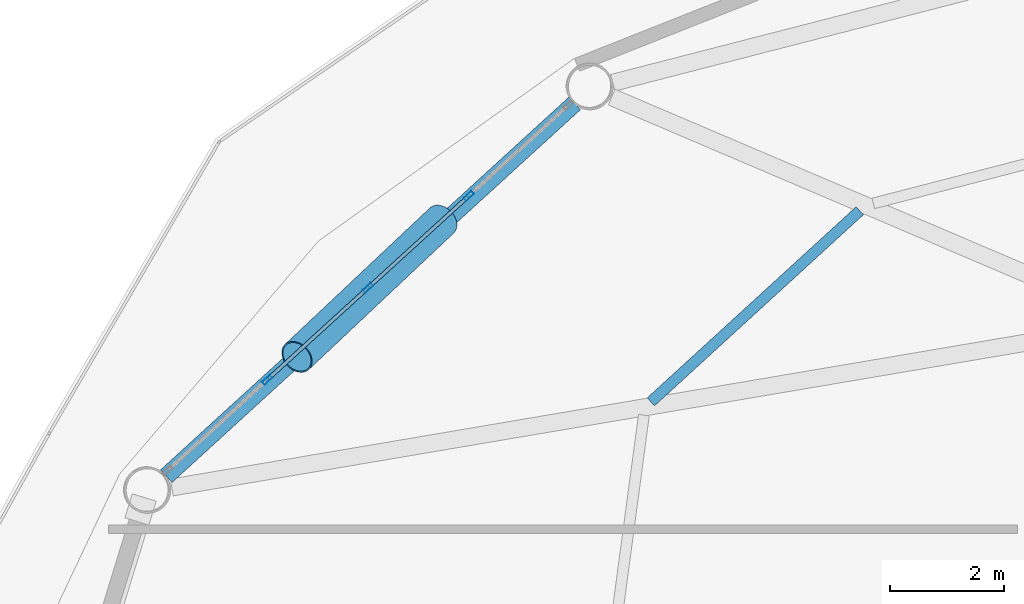
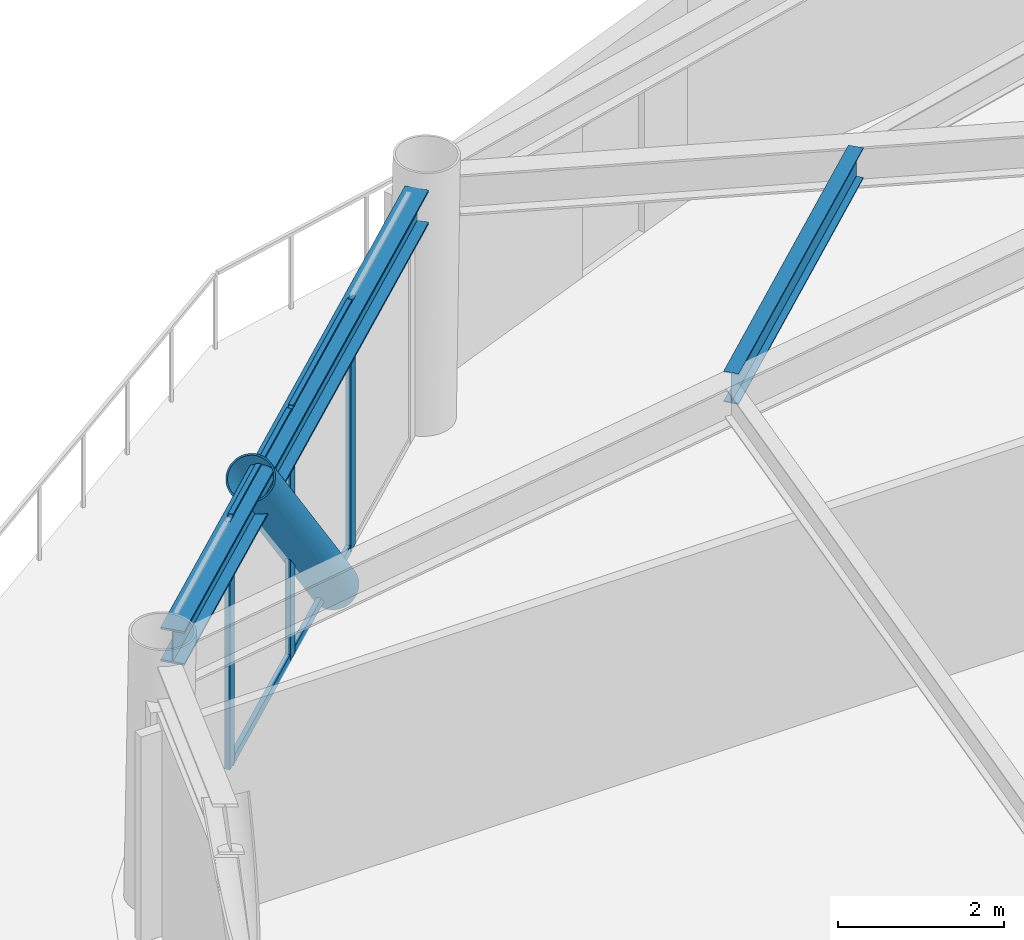
# One storey, part 14 of 23: 8 members, 2 beams, 1 element without a shape of its own.
"""IFC4 building model written with IfcOpenShell, lengths in metres."""

from ifc_helpers import new_model, si_unit, direction, frame, origin, origin_2d, place, context, subcontext, project, spatial, hollow_rectangle, hollow_circle, i_section, extrude, material, layer, layer_set, material_profile, profile_set, type_object, element, aggregate, save


model = new_model("IFC4")

# Units and contexts
model_context = context("Model", 3, precision=1e-05, world=origin(), true_north=direction((0.0, 1.0)))
body_context = subcontext(model_context, "Body", "Model", "MODEL_VIEW")
ifc_project = project(units=[si_unit("LENGTHUNIT", "METRE"), si_unit("AREAUNIT", "SQUARE_METRE"), si_unit("VOLUMEUNIT", "CUBIC_METRE"), si_unit("PLANEANGLEUNIT", "RADIAN"), si_unit("MASSUNIT", "GRAM", prefix="KILO")], contexts=[model_context])

# Site, building, storey
site_placement = place(None, origin())
site = spatial("IfcSite", under=ifc_project, at=site_placement, CompositionType="ELEMENT")
building_placement = place(site_placement, origin())
building = spatial("IfcBuilding", under=site, at=building_placement, Name="Varnakorn Sky Granary", CompositionType="ELEMENT")
storey_placement = place(building_placement, frame((0.0, 0.0, 114.89990234375)))
storey = spatial("IfcBuildingStorey", under=building, at=storey_placement, Name="L28", CompositionType="ELEMENT", Elevation=114.89990234375)

# Beams
ifc_material_1 = material(Name="Steel S355JR", Category="steel")
ifc_material_profile_1 = material_profile(ifc_material_1, i_section(OverallWidth=0.18994140625, OverallDepth=0.449951171875, WebThickness=0.009521484375, FlangeThickness=0.0146484375, at=origin_2d()), Name="IPE 450")
ifc_profile_set_1 = profile_set([ifc_material_profile_1], Name="Steel S355JR")
beam_type_1 = type_object("IfcBeamType", Name="BM-SEC-Z2", PredefinedType="BEAM", material=ifc_profile_set_1)
beam_1_placement = place(storey_placement, frame((-7.371826171875, 14.593017578125, 3.4150390625), z_axis=(-0.737911489032, -0.674897499147, 0.0), x_axis=(0.674897499147, -0.737911489032, 0.0)))
element("IfcBeam", 1, at=beam_1_placement, inside=storey, type_object=beam_type_1, Name="Secondary Floor Chord Beam MSB05 L28", PredefinedType="BEAM", context=body_context, shape_type="SweptSolid", body=[
    extrude(i_section(OverallWidth=0.18994140625, OverallDepth=0.449951171875, WebThickness=0.009521484375, FlangeThickness=0.0146484375, at=origin_2d()), origin(), (0.0, 0.0, 1.0), 4.974609375),
])
ifc_material_profile_2 = material_profile(ifc_material_1, i_section(OverallWidth=0.300048828125, OverallDepth=0.5, WebThickness=0.014404296875, FlangeThickness=0.028076171875, at=origin_2d()), Name="HE 500 B")
ifc_profile_set_2 = profile_set([ifc_material_profile_2], Name="Steel S355JR")
beam_type_2 = type_object("IfcBeamType", Name="BM-SPD-Z2", PredefinedType="SPANDREL", material=ifc_profile_set_2)
beam_2_placement = place(storey_placement, frame((-12.380126953125, 16.479736328125, 3.39013671875), z_axis=(-0.738592129146, -0.674152554519, 0.0), x_axis=(0.674152554519, -0.738592129146, 0.0)))
element("IfcBeam", 2, at=beam_2_placement, inside=storey, type_object=beam_type_2, Name="Perimeter Spandrel Ring Beam RB05 L28", PredefinedType="SPANDREL", context=body_context, shape_type="SweptSolid", body=[
    extrude(i_section(OverallWidth=0.300048828125, OverallDepth=0.5, WebThickness=0.014404296875, FlangeThickness=0.028076171875, at=origin_2d()), origin(), (0.0, 0.0, 1.0), 9.714111328125),
])

# Curtain wall, members
ifc_material_2 = material(Name="Anodised Bronze Aluminium Alloy 6063-T6", Category="aluminium")
ifc_layer = layer(ifc_material_2, 0.179931640625, Name="Anodised Bronze Aluminium Alloy 6063-T6")
ifc_layer_set = layer_set([ifc_layer], Name="Anodised Bronze Aluminium Alloy 6063-T6")
curtain_wall_type = type_object("IfcCurtainWallType", Name="CW-FRM-2", PredefinedType="USERDEFINED", material=ifc_layer_set)
curtain_wall_placement = place(storey_placement, origin())
curtain_wall = element("IfcCurtainWall", 3, at=curtain_wall_placement, inside=storey, type_object=curtain_wall_type, Name="Unitised Curtain Wall CW4 CW-L28-B05", ObjectType="CURTAIN WALL", PredefinedType="USERDEFINED")
ifc_material_profile_3 = material_profile(ifc_material_2, hollow_rectangle(XDim=0.070068359375, YDim=0.18505859375, WallThickness=0.00390625, at=origin_2d()), Name="ALU MULL 70x185")
ifc_profile_set_3 = profile_set([ifc_material_profile_3], Name="Anodised Bronze Aluminium Alloy 6063-T6")
member_type_1 = type_object("IfcMemberType", Name="CW-FRM-2-MULL", PredefinedType="MULLION", material=ifc_profile_set_3)
member_1_placement = place(storey_placement, frame((-17.78466796875, 11.621826171875, 0.0), z_axis=(0.0, 0.0, 1.0), x_axis=(-0.673924759752, 0.738799985242, 0.0)))
member_1 = element("IfcMember", 4, at=member_1_placement, type_object=member_type_1, Name="CW4 mullion 2", PredefinedType="MULLION", context=body_context, shape_type="SweptSolid", body=[
    extrude(hollow_rectangle(XDim=0.070068359375, YDim=0.18505859375, WallThickness=0.00390625, at=origin_2d()), origin(), (0.0, 0.0, 1.0), 3.64013671875),
])
member_2_placement = place(storey_placement, frame((-16.0126953125, 13.238037109375, 0.0), z_axis=(0.0, 0.0, 1.0), x_axis=(-0.673924759752, 0.738799985242, 0.0)))
member_2 = element("IfcMember", 5, at=member_2_placement, type_object=member_type_1, Name="CW4 mullion 3", PredefinedType="MULLION", context=body_context, shape_type="SweptSolid", body=[
    extrude(hollow_rectangle(XDim=0.070068359375, YDim=0.18505859375, WallThickness=0.00390625, at=origin_2d()), origin(), (0.0, 0.0, 1.0), 3.64013671875),
])
member_3_placement = place(storey_placement, frame((-14.24072265625, 14.8544921875, 0.0), z_axis=(0.0, 0.0, 1.0), x_axis=(-0.673924759752, 0.738799985242, 0.0)))
member_3 = element("IfcMember", 6, at=member_3_placement, type_object=member_type_1, Name="CW4 mullion 4", PredefinedType="MULLION", context=body_context, shape_type="SweptSolid", body=[
    extrude(hollow_rectangle(XDim=0.070068359375, YDim=0.18505859375, WallThickness=0.00390625, at=origin_2d()), origin(), (0.0, 0.0, 1.0), 3.64013671875),
])
ifc_material_profile_4 = material_profile(ifc_material_2, hollow_rectangle(XDim=0.06494140625, YDim=0.1201171875, WallThickness=0.00341796875, at=origin_2d()), Name="ALU TRAN 65x120")
ifc_profile_set_4 = profile_set([ifc_material_profile_4], Name="Anodised Bronze Aluminium Alloy 6063-T6")
member_type_2 = type_object("IfcMemberType", Name="CW-FRM-2-TRAN", PredefinedType="USERDEFINED", material=ifc_profile_set_4)
member_4_placement = place(storey_placement, frame((-17.7587890625, 11.645263671875, 0.03271484375), z_axis=(0.738762361329, 0.673966003211, 0.0), x_axis=(-0.673966003211, 0.738762361329, 0.0)))
member_4 = element("IfcMember", 7, at=member_4_placement, type_object=member_type_2, Name="CW4 transom 2.1", ObjectType="TRANSOM", PredefinedType="USERDEFINED", context=body_context, shape_type="SweptSolid", body=[
    extrude(hollow_rectangle(XDim=0.06494140625, YDim=0.1201171875, WallThickness=0.00341796875, at=origin_2d()), origin(), (0.0, 0.0, 1.0), 2.32861328125),
])
member_5_placement = place(storey_placement, frame((-17.7587890625, 11.645263671875, 3.607666015625), z_axis=(0.738762361329, 0.673966003211, 0.0), x_axis=(-0.673966003211, 0.738762361329, 0.0)))
member_5 = element("IfcMember", 8, at=member_5_placement, type_object=member_type_2, Name="CW4 transom 2.2", ObjectType="TRANSOM", PredefinedType="USERDEFINED", context=body_context, shape_type="SweptSolid", body=[
    extrude(hollow_rectangle(XDim=0.06494140625, YDim=0.1201171875, WallThickness=0.00341796875, at=origin_2d()), origin(), (0.0, 0.0, 1.0), 2.32861328125),
])
member_6_placement = place(storey_placement, frame((-15.98681640625, 13.26171875, 0.03271484375), z_axis=(0.738762361329, 0.673966003211, 0.0), x_axis=(-0.673966003211, 0.738762361329, 0.0)))
member_6 = element("IfcMember", 9, at=member_6_placement, type_object=member_type_2, Name="CW4 transom 3.1", ObjectType="TRANSOM", PredefinedType="USERDEFINED", context=body_context, shape_type="SweptSolid", body=[
    extrude(hollow_rectangle(XDim=0.06494140625, YDim=0.1201171875, WallThickness=0.00341796875, at=origin_2d()), origin(), (0.0, 0.0, 1.0), 2.32861328125),
])
member_7_placement = place(storey_placement, frame((-15.98681640625, 13.26171875, 3.607666015625), z_axis=(0.738762361329, 0.673966003211, 0.0), x_axis=(-0.673966003211, 0.738762361329, 0.0)))
member_7 = element("IfcMember", 10, at=member_7_placement, type_object=member_type_2, Name="CW4 transom 3.2", ObjectType="TRANSOM", PredefinedType="USERDEFINED", context=body_context, shape_type="SweptSolid", body=[
    extrude(hollow_rectangle(XDim=0.06494140625, YDim=0.1201171875, WallThickness=0.00341796875, at=origin_2d()), origin(), (0.0, 0.0, 1.0), 2.32861328125),
])
aggregate(curtain_wall, [member_1, member_2, member_3, member_4, member_5, member_6, member_7])

# Member
ifc_material_3 = material(Name="Steel S460M", Category="steel")
ifc_material_profile_5 = material_profile(ifc_material_3, hollow_circle(Radius=0.304931640625, WallThickness=0.022216796875, at=origin_2d()), Name="CHS 610x22")
ifc_profile_set_5 = profile_set([ifc_material_profile_5], Name="Steel S460M")
member_type_3 = type_object("IfcMemberType", Name="MB-DIAG-T1", PredefinedType="BRACE", material=ifc_profile_set_5)
member_8_placement = place(storey_placement, frame((-14.71630859375, 14.42041015625, -0.1298828125), z_axis=(-0.484413165286, -0.456049560868, 0.746567266446), x_axis=(0.685469332772, -0.728101499675, 0.0)))
element("IfcMember", 11, at=member_8_placement, inside=storey, type_object=member_type_3, Name="Perimeter CHS Diagrid Brace DG05 L28", PredefinedType="BRACE", context=body_context, shape_type="SweptSolid", body=[
    extrude(hollow_circle(Radius=0.304931640625, WallThickness=0.022216796875, at=origin_2d()), origin(), (0.0, 0.0, 1.0), 5.25048828125),
])

save(model, "model.ifc")
